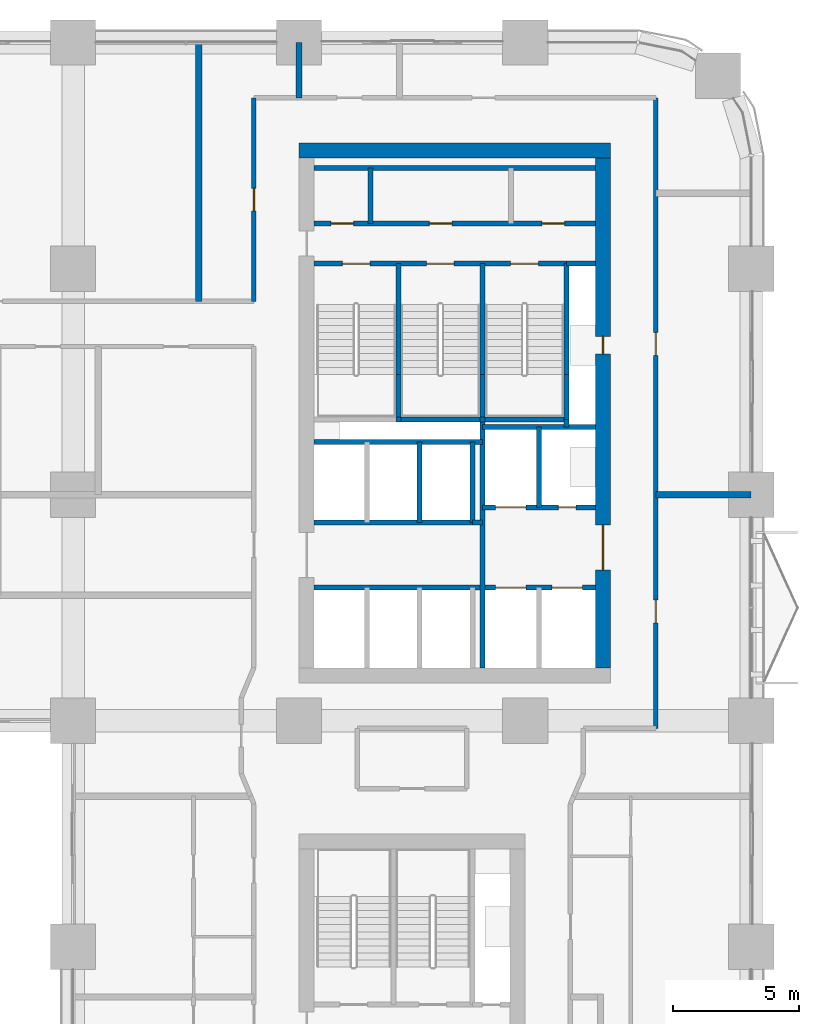
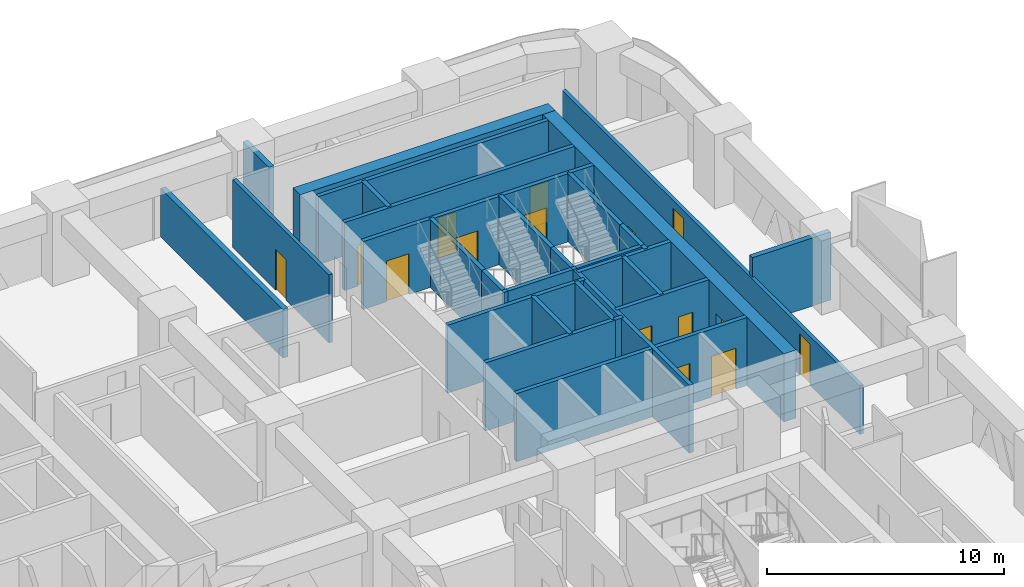
# One storey, part 17 of 24: 33 walls, 15 doors, 15 openings.
"""IFC4 building model written with IfcOpenShell, lengths in metres."""

from ifc_helpers import new_model, si_unit, direction, frame, frame_2d, origin, place, context, subcontext, project, spatial, rectangle, extrude, material, layer, layer_set, type_object, element, fill, save


model = new_model("IFC4")

# Units and contexts
model_context = context("Model", 3, precision=1e-05, world=origin(), true_north=direction((0.0, 1.0)))
body_context = subcontext(model_context, "Body", "Model", "MODEL_VIEW")
ifc_project = project(units=[si_unit("LENGTHUNIT", "METRE"), si_unit("AREAUNIT", "SQUARE_METRE"), si_unit("VOLUMEUNIT", "CUBIC_METRE"), si_unit("PLANEANGLEUNIT", "RADIAN"), si_unit("MASSUNIT", "GRAM", prefix="KILO")], contexts=[model_context])

# Site, building, storey
site_placement = place(None, origin())
site = spatial("IfcSite", under=ifc_project, at=site_placement, CompositionType="ELEMENT")
building_placement = place(site_placement, origin())
building = spatial("IfcBuilding", under=site, at=building_placement, Name="Tessera Arch", CompositionType="ELEMENT")
storey_placement = place(building_placement, frame((0.0, 0.0, 81.60009765625)))
storey = spatial("IfcBuildingStorey", under=building, at=storey_placement, Name="L18", CompositionType="ELEMENT", Elevation=81.60009765625)

# Walls
ifc_material_1 = material(Name="Gypsum board on steel stud", Category="steel")
ifc_layer_1 = layer(ifc_material_1, 0.125)
ifc_layer_set_1 = layer_set([ifc_layer_1], Name="Core partition 125 EI 60")
wall_type_1 = type_object("IfcWallType", Name="Core partition 125 EI 60", PredefinedType="PARTITIONING", material=ifc_layer_set_1)
wall_1_placement = place(storey_placement, frame((38.840087890625, 46.800048828125, 0.0), z_axis=(0.0, 0.0, 1.0), x_axis=(0.0, 1.0, 0.0)))
element("IfcWall", 1, at=wall_1_placement, inside=storey, type_object=wall_type_1, Name="L18 C1 partition wall 3", PredefinedType="PARTITIONING", context=body_context, shape_type="SweptSolid", body=[
    extrude(rectangle(XDim=2.199951171875, YDim=0.199951171875, at=frame_2d((1.10009765625, 0.0))), origin(), (0.0, 0.0, 1.0), 3.5),
])
wall_2_placement = place(storey_placement, frame((42.89990234375, 34.89990234375, 0.0), z_axis=(0.0, 0.0, 1.0), x_axis=(1.0, 0.0, 0.0)))
element("IfcWall", 2, at=wall_2_placement, inside=storey, type_object=wall_type_1, Name="L18 C1 partition wall 20", PredefinedType="PARTITIONING", context=body_context, shape_type="SweptSolid", body=[
    extrude(rectangle(XDim=0.400146484375, YDim=0.199951171875, at=frame_2d((0.2001953125, 0.0))), origin(), (0.0, 0.0, 1.0), 3.5),
])

# Wall, openings, doors
wall_3_placement = place(storey_placement, frame((36.60009765625, 46.800048828125, 0.0), z_axis=(0.0, 0.0, 1.0), x_axis=(1.0, 0.0, 0.0)))
wall_3 = element("IfcWall", 3, at=wall_3_placement, inside=storey, type_object=wall_type_1, Name="L18 C1 partition wall 32", PredefinedType="PARTITIONING", context=body_context, shape_type="SweptSolid", body=[
    extrude(rectangle(XDim=11.199951171875, YDim=0.199951171875, at=frame_2d((5.60009765625, 0.0))), origin(), (0.0, 0.0, 1.0), 3.5),
])
opening_1_placement = place(wall_3_placement, frame((0.669921875, 0.0, 0.0)))
opening_1 = element("IfcOpeningElement", 4, at=opening_1_placement, cuts=wall_3, Name="Opening L18-C12", PredefinedType="OPENING", context=body_context, shape_type="SweptSolid", body=[
    extrude(rectangle(XDim=0.89990234375, YDim=2.10009765625, at=frame_2d((0.449951171875, 1.050048828125))), frame((0.0, 0.10986328125, 0.0), z_axis=(0.0, -1.0, 0.0), x_axis=(1.0, 0.0, 0.0)), (0.0, 0.0, 1.0), 0.219970703125),
])
opening_2_placement = place(wall_3_placement, frame((4.590087890625, 0.0, 0.0)))
opening_2 = element("IfcOpeningElement", 5, at=opening_2_placement, cuts=wall_3, Name="Opening L18-C13", PredefinedType="OPENING", context=body_context, shape_type="SweptSolid", body=[
    extrude(rectangle(XDim=0.89990234375, YDim=2.10009765625, at=frame_2d((0.449951171875, 1.050048828125))), frame((0.0, 0.10986328125, 0.0), z_axis=(0.0, -1.0, 0.0), x_axis=(1.0, 0.0, 0.0)), (0.0, 0.0, 1.0), 0.219970703125),
])
opening_3_placement = place(wall_3_placement, frame((9.070068359375, 0.0, 0.0)))
opening_3 = element("IfcOpeningElement", 6, at=opening_3_placement, cuts=wall_3, Name="Opening L18-C14", PredefinedType="OPENING", context=body_context, shape_type="SweptSolid", body=[
    extrude(rectangle(XDim=0.89990234375, YDim=2.10009765625, at=frame_2d((0.449951171875, 1.050048828125))), frame((0.0, 0.10986328125, 0.0), z_axis=(0.0, -1.0, 0.0), x_axis=(1.0, 0.0, 0.0)), (0.0, 0.0, 1.0), 0.219970703125),
])
ifc_material_2 = material(Name="Steel door leaf", Category="steel")
door_type_1 = type_object("IfcDoorType", Name="Store door FD30S 900 x 2100", OperationType="SINGLE_SWING_LEFT", PredefinedType="DOOR", material=ifc_material_2)
door_1_placement = place(opening_1_placement, origin())
door_1 = element("IfcDoor", 7, at=door_1_placement, inside=storey, type_object=door_type_1, Name="L18 C1 door 12 C12 type D09", OperationType="SINGLE_SWING_LEFT", OverallHeight=2.10009765625, OverallWidth=0.89990234375, PredefinedType="DOOR", context=body_context, shape_type="SweptSolid", body=[
    extrude(rectangle(XDim=0.89990234375, YDim=2.10009765625, at=frame_2d((0.449951171875, 1.050048828125))), frame((0.0, 0.02490234375, 0.0), z_axis=(0.0, -1.0, 0.0), x_axis=(1.0, 0.0, 0.0)), (0.0, 0.0, 1.0), 0.050048828125),
])
fill(opening_1, door_1)
door_2_placement = place(opening_2_placement, origin())
door_2 = element("IfcDoor", 8, at=door_2_placement, inside=storey, type_object=door_type_1, Name="L18 C1 door 13 C13 type D09", OperationType="SINGLE_SWING_LEFT", OverallHeight=2.10009765625, OverallWidth=0.89990234375, PredefinedType="DOOR", context=body_context, shape_type="SweptSolid", body=[
    extrude(rectangle(XDim=0.89990234375, YDim=2.10009765625, at=frame_2d((0.449951171875, 1.050048828125))), frame((0.0, 0.02490234375, 0.0), z_axis=(0.0, -1.0, 0.0), x_axis=(1.0, 0.0, 0.0)), (0.0, 0.0, 1.0), 0.050048828125),
])
fill(opening_2, door_2)
door_3_placement = place(opening_3_placement, origin())
door_3 = element("IfcDoor", 9, at=door_3_placement, inside=storey, type_object=door_type_1, Name="L18 C1 door 14 C14 type D09", OperationType="SINGLE_SWING_RIGHT", OverallHeight=2.10009765625, OverallWidth=0.89990234375, PredefinedType="DOOR", context=body_context, shape_type="SweptSolid", body=[
    extrude(rectangle(XDim=0.89990234375, YDim=2.10009765625, at=frame_2d((0.449951171875, 1.050048828125))), frame((0.0, 0.02490234375, 0.0), z_axis=(0.0, -1.0, 0.0), x_axis=(1.0, 0.0, 0.0)), (0.0, 0.0, 1.0), 0.050048828125),
])
fill(opening_3, door_3)

# Walls
wall_4_placement = place(storey_placement, frame((36.60009765625, 49.0, 0.0), z_axis=(0.0, 0.0, 1.0), x_axis=(1.0, 0.0, 0.0)))
element("IfcWall", 10, at=wall_4_placement, inside=storey, type_object=wall_type_1, Name="L18 C1 partition wall 33", PredefinedType="PARTITIONING", context=body_context, shape_type="SweptSolid", body=[
    extrude(rectangle(XDim=11.199951171875, YDim=0.199951171875, at=frame_2d((5.60009765625, 0.0))), origin(), (0.0, 0.0, 1.0), 3.5),
])
ifc_material_3 = material(Name="Concrete C70/85", Category="concrete")
ifc_layer_2 = layer(ifc_material_3, 0.60009765625)
ifc_layer_set_2 = layer_set([ifc_layer_2], Name="Core shell wall 600 C70-85")
wall_type_2 = type_object("IfcWallType", Name="Core shell wall 600 C70-85", PredefinedType="SHEAR", material=ifc_layer_set_2)
wall_5_placement = place(storey_placement, frame((36.0, 49.699951171875, 0.0), z_axis=(0.0, 0.0, 1.0), x_axis=(1.0, 0.0, 0.0)))
element("IfcWall", 11, at=wall_5_placement, inside=storey, type_object=wall_type_2, Name="L18 C1 core wall N", PredefinedType="SHEAR", context=body_context, shape_type="SweptSolid", body=[
    extrude(rectangle(XDim=12.39990234375, YDim=0.60009765625, at=frame_2d((6.199951171875, 0.0))), origin(), (0.0, 0.0, 1.0), 3.5),
])

# Wall, openings, doors
wall_6_placement = place(storey_placement, frame((48.10009765625, 29.10009765625, 0.0), z_axis=(0.0, 0.0, 1.0), x_axis=(0.0, 1.0, 0.0)))
wall_6 = element("IfcWall", 12, at=wall_6_placement, inside=storey, type_object=wall_type_2, Name="L18 C1 core wall E", PredefinedType="SHEAR", context=body_context, shape_type="SweptSolid", body=[
    extrude(rectangle(XDim=20.2998046875, YDim=0.60009765625, at=frame_2d((10.14990234375, 0.0))), origin(), (0.0, 0.0, 1.0), 3.5),
])
opening_4_placement = place(wall_6_placement, frame((12.5, 0.0, 0.0)))
opening_4 = element("IfcOpeningElement", 13, at=opening_4_placement, cuts=wall_6, Name="Opening L18-C08", PredefinedType="OPENING", context=body_context, shape_type="SweptSolid", body=[
    extrude(rectangle(XDim=0.699951171875, YDim=2.10009765625, at=frame_2d((0.35009765625, 1.050048828125))), frame((0.0, 0.31005859375, 0.0), z_axis=(0.0, -1.0, 0.0), x_axis=(1.0, 0.0, 0.0)), (0.0, 0.0, 1.0), 0.6201171875),
])
opening_5_placement = place(wall_6_placement, frame((3.89990234375, 0.0, 0.0)))
opening_5 = element("IfcOpeningElement", 14, at=opening_5_placement, cuts=wall_6, Name="Opening L18-C09", PredefinedType="OPENING", context=body_context, shape_type="SweptSolid", body=[
    extrude(rectangle(XDim=1.800048828125, YDim=2.10009765625, at=frame_2d((0.89990234375, 1.050048828125))), frame((0.0, 0.31005859375, 0.0), z_axis=(0.0, -1.0, 0.0), x_axis=(1.0, 0.0, 0.0)), (0.0, 0.0, 1.0), 0.6201171875),
])
ifc_material_4 = material(Name="Glazed steel door leaf", Category="steel")
door_type_2 = type_object("IfcDoorType", Name="Lobby double door FD60 1800 x 2100", OperationType="DOUBLE_DOOR_SINGLE_SWING", PredefinedType="DOOR", material=ifc_material_4)
door_4_placement = place(opening_5_placement, origin())
door_4 = element("IfcDoor", 15, at=door_4_placement, inside=storey, type_object=door_type_2, Name="L18 C1 door 9 C09 type D19", OperationType="DOUBLE_DOOR_SINGLE_SWING", OverallHeight=2.10009765625, OverallWidth=1.800048828125, PredefinedType="DOOR", context=body_context, shape_type="SweptSolid", body=[
    extrude(rectangle(XDim=1.800048828125, YDim=2.10009765625, at=frame_2d((0.89990234375, 1.050048828125))), frame((0.0, 0.02490234375, 0.0), z_axis=(0.0, -1.0, 0.0), x_axis=(1.0, 0.0, 0.0)), (0.0, 0.0, 1.0), 0.050048828125),
])
fill(opening_5, door_4)
ifc_material_5 = material(Name="Steel door leaf", Category="steel")
door_type_3 = type_object("IfcDoorType", Name="Service shaft door FD60 700 x 2100", OperationType="SINGLE_SWING_LEFT", PredefinedType="DOOR", material=ifc_material_5)
door_5_placement = place(opening_4_placement, origin())
door_5 = element("IfcDoor", 16, at=door_5_placement, inside=storey, type_object=door_type_3, Name="L18 C1 door 8 C08 type D07", OperationType="SINGLE_SWING_RIGHT", OverallHeight=2.10009765625, OverallWidth=0.699951171875, PredefinedType="DOOR", context=body_context, shape_type="SweptSolid", body=[
    extrude(rectangle(XDim=0.699951171875, YDim=2.10009765625, at=frame_2d((0.35009765625, 1.050048828125))), frame((0.0, 0.02490234375, 0.0), z_axis=(0.0, -1.0, 0.0), x_axis=(1.0, 0.0, 0.0)), (0.0, 0.0, 1.0), 0.050048828125),
])
fill(opening_4, door_5)

# Wall, opening, door
ifc_material_6 = material(Name="Gypsum board on deep steel stud with mineral wool", Category="steel")
ifc_layer_3 = layer(ifc_material_6, 0.175048828125)
ifc_layer_set_3 = layer_set([ifc_layer_3], Name="Corridor wall 175 EI 60")
wall_type_3 = type_object("IfcWallType", Name="Corridor wall 175 EI 60", PredefinedType="PARTITIONING", material=ifc_layer_set_3)
wall_7_placement = place(storey_placement, frame((34.199951171875, 43.699951171875, 0.0), z_axis=(0.0, 0.0, 1.0), x_axis=(0.0, 1.0, 0.0)))
wall_7 = element("IfcWall", 17, at=wall_7_placement, inside=storey, type_object=wall_type_3, Name="L18 partition 17", PredefinedType="PARTITIONING", context=body_context, shape_type="SweptSolid", body=[
    extrude(rectangle(XDim=8.10009765625, YDim=0.175048828125, at=frame_2d((4.050048828125, 0.0))), origin(), (0.0, 0.0, 1.0), 3.5),
])
opening_6_placement = place(wall_7_placement, frame((3.60009765625, 0.0, 0.0)))
opening_6 = element("IfcOpeningElement", 18, at=opening_6_placement, cuts=wall_7, Name="Opening L18-D035", PredefinedType="OPENING", context=body_context, shape_type="SweptSolid", body=[
    extrude(rectangle(XDim=0.89990234375, YDim=2.10009765625, at=frame_2d((0.449951171875, 1.050048828125))), frame((0.0, 0.097412109375, 0.0), z_axis=(0.0, -1.0, 0.0), x_axis=(1.0, 0.0, 0.0)), (0.0, 0.0, 1.0), 0.195068359375),
])
ifc_material_7 = material(Name="Timber door leaf", Category="wood")
door_type_4 = type_object("IfcDoorType", Name="Room door 900 x 2100", OperationType="SINGLE_SWING_LEFT", PredefinedType="DOOR", material=ifc_material_7)
door_6_placement = place(opening_6_placement, origin())
door_6 = element("IfcDoor", 19, at=door_6_placement, inside=storey, type_object=door_type_4, Name="L18 door D035 type D01", OperationType="SINGLE_SWING_RIGHT", OverallHeight=2.10009765625, OverallWidth=0.89990234375, PredefinedType="DOOR", context=body_context, shape_type="SweptSolid", body=[
    extrude(rectangle(XDim=0.89990234375, YDim=2.10009765625, at=frame_2d((0.449951171875, 1.050048828125))), frame((0.0, 0.02490234375, 0.0), z_axis=(0.0, -1.0, 0.0), x_axis=(1.0, 0.0, 0.0)), (0.0, 0.0, 1.0), 0.050048828125),
])
fill(opening_6, door_6)

# Wall, openings, doors
wall_8_placement = place(storey_placement, frame((50.199951171875, 26.699951171875, 0.0), z_axis=(0.0, 0.0, 1.0), x_axis=(0.0, 1.0, 0.0)))
wall_8 = element("IfcWall", 20, at=wall_8_placement, inside=storey, type_object=wall_type_3, Name="L18 partition 22", PredefinedType="PARTITIONING", context=body_context, shape_type="SweptSolid", body=[
    extrude(rectangle(XDim=25.10009765625, YDim=0.175048828125, at=frame_2d((12.550048828125, 0.0))), origin(), (0.0, 0.0, 1.0), 2.5),
])
opening_7_placement = place(wall_8_placement, frame((4.199951171875, 0.0, 0.0)))
opening_7 = element("IfcOpeningElement", 21, at=opening_7_placement, cuts=wall_8, Name="Opening L18-D025", PredefinedType="OPENING", context=body_context, shape_type="SweptSolid", body=[
    extrude(rectangle(XDim=0.89990234375, YDim=2.10009765625, at=frame_2d((0.449951171875, 1.050048828125))), frame((0.0, 0.097412109375, 0.0), z_axis=(0.0, -1.0, 0.0), x_axis=(1.0, 0.0, 0.0)), (0.0, 0.0, 1.0), 0.195068359375),
])
opening_8_placement = place(wall_8_placement, frame((14.85009765625, 0.0, 0.0)))
opening_8 = element("IfcOpeningElement", 22, at=opening_8_placement, cuts=wall_8, Name="Opening L18-D032", PredefinedType="OPENING", context=body_context, shape_type="SweptSolid", body=[
    extrude(rectangle(XDim=0.89990234375, YDim=2.10009765625, at=frame_2d((0.449951171875, 1.050048828125))), frame((0.0, 0.097412109375, 0.0), z_axis=(0.0, -1.0, 0.0), x_axis=(1.0, 0.0, 0.0)), (0.0, 0.0, 1.0), 0.195068359375),
])
door_7_placement = place(opening_7_placement, origin())
door_7 = element("IfcDoor", 23, at=door_7_placement, inside=storey, type_object=door_type_4, Name="L18 door D025 type D01", OperationType="SINGLE_SWING_RIGHT", OverallHeight=2.10009765625, OverallWidth=0.89990234375, PredefinedType="DOOR", context=body_context, shape_type="SweptSolid", body=[
    extrude(rectangle(XDim=0.89990234375, YDim=2.10009765625, at=frame_2d((0.449951171875, 1.050048828125))), frame((0.0, 0.02490234375, 0.0), z_axis=(0.0, -1.0, 0.0), x_axis=(1.0, 0.0, 0.0)), (0.0, 0.0, 1.0), 0.050048828125),
])
fill(opening_7, door_7)
door_8_placement = place(opening_8_placement, origin())
door_8 = element("IfcDoor", 24, at=door_8_placement, inside=storey, type_object=door_type_4, Name="L18 door D032 type D01", OperationType="SINGLE_SWING_RIGHT", OverallHeight=2.10009765625, OverallWidth=0.89990234375, PredefinedType="DOOR", context=body_context, shape_type="SweptSolid", body=[
    extrude(rectangle(XDim=0.89990234375, YDim=2.10009765625, at=frame_2d((0.449951171875, 1.050048828125))), frame((0.0, 0.02490234375, 0.0), z_axis=(0.0, -1.0, 0.0), x_axis=(1.0, 0.0, 0.0)), (0.0, 0.0, 1.0), 0.050048828125),
])
fill(opening_8, door_8)

# Walls
ifc_material_8 = material(Name="Double gypsum board on twin steel stud with acoustic mineral wool", Category="steel")
ifc_layer_4 = layer(ifc_material_8, 0.25)
ifc_layer_set_4 = layer_set([ifc_layer_4], Name="Party wall 250 EI 60")
wall_type_4 = type_object("IfcWallType", Name="Party wall 250 EI 60", PredefinedType="PARTITIONING", material=ifc_layer_set_4)
wall_9_placement = place(storey_placement, frame((50.199951171875, 36.0, 0.0), z_axis=(0.0, 0.0, 1.0), x_axis=(1.0, 0.0, 0.0)))
element("IfcWall", 25, at=wall_9_placement, inside=storey, type_object=wall_type_4, Name="L18 partition 40", PredefinedType="PARTITIONING", context=body_context, shape_type="SweptSolid", body=[
    extrude(rectangle(XDim=3.800048828125, YDim=0.25, at=frame_2d((1.89990234375, 0.0))), origin(), (0.0, 0.0, 1.0), 3.5),
])
wall_10_placement = place(storey_placement, frame((32.0, 43.699951171875, 0.0), z_axis=(0.0, 0.0, 1.0), x_axis=(0.0, 1.0, 0.0)))
element("IfcWall", 26, at=wall_10_placement, inside=storey, type_object=wall_type_4, Name="L18 partition 51", PredefinedType="PARTITIONING", context=body_context, shape_type="SweptSolid", body=[
    extrude(rectangle(XDim=10.300048828125, YDim=0.25, at=frame_2d((5.14990234375, 0.0))), origin(), (0.0, 0.0, 1.0), 2.5),
])
wall_11_placement = place(storey_placement, frame((36.0, 51.800048828125, 0.0), z_axis=(0.0, 0.0, 1.0), x_axis=(0.0, 1.0, 0.0)))
element("IfcWall", 27, at=wall_11_placement, inside=storey, type_object=wall_type_4, Name="L18 partition 53", PredefinedType="PARTITIONING", context=body_context, shape_type="SweptSolid", body=[
    extrude(rectangle(XDim=2.199951171875, YDim=0.25, at=frame_2d((1.10009765625, 0.0))), origin(), (0.0, 0.0, 1.0), 3.5),
])
ifc_material_9 = material(Name="Concrete C40/50", Category="concrete")
ifc_layer_5 = layer(ifc_material_9, 0.199951171875)
ifc_layer_set_5 = layer_set([ifc_layer_5], Name="Shaft wall 200 EI 120")
wall_type_5 = type_object("IfcWallType", Name="Shaft wall 200 EI 120", PredefinedType="SOLIDWALL", material=ifc_layer_set_5)
for number, where, z_axis, x_axis, name in (
    (28, (40.800048828125, 34.89990234375, 0.0), (0.0, 0.0, 1.0), (0.0, 1.0, 0.0), "L18 C1 shaft wall 7"),
    (29, (42.89990234375, 34.89990234375, 0.0), (0.0, 0.0, 1.0), (0.0, 1.0, 0.0), "L18 C1 shaft wall 9"),
):
    element("IfcWall", number, at=place(storey_placement, frame(where, z_axis=z_axis, x_axis=x_axis)), inside=storey, type_object=wall_type_5, Name=name, PredefinedType="SOLIDWALL", context=body_context, shape_type="SweptSolid", body=[
        extrude(rectangle(XDim=3.2001953125, YDim=0.199951171875, at=frame_2d((1.60009765625, 0.0))), origin(), (0.0, 0.0, 1.0), 3.5),
    ])
wall_12_placement = place(storey_placement, frame((43.300048828125, 29.10009765625, 0.0), z_axis=(0.0, 0.0, 1.0), x_axis=(0.0, 1.0, 0.0)))
element("IfcWall", 30, at=wall_12_placement, inside=storey, type_object=wall_type_5, Name="L18 C1 shaft wall 10", PredefinedType="SOLIDWALL", context=body_context, shape_type="SweptSolid", body=[
    extrude(rectangle(XDim=9.89990234375, YDim=0.199951171875, at=frame_2d((4.949951171875, 0.0))), origin(), (0.0, 0.0, 1.0), 3.5),
])
wall_13_placement = place(storey_placement, frame((45.550048828125, 35.5, 0.0), z_axis=(0.0, 0.0, 1.0), x_axis=(0.0, 1.0, 0.0)))
element("IfcWall", 31, at=wall_13_placement, inside=storey, type_object=wall_type_5, Name="L18 C1 shaft wall 15", PredefinedType="SOLIDWALL", context=body_context, shape_type="SweptSolid", body=[
    extrude(rectangle(XDim=3.199951171875, YDim=0.199951171875, at=frame_2d((1.60009765625, 0.0))), origin(), (0.0, 0.0, 1.0), 3.5),
])
wall_14_placement = place(storey_placement, frame((46.64990234375, 38.699951171875, 0.0), z_axis=(0.0, 0.0, 1.0), x_axis=(0.0, 1.0, 0.0)))
element("IfcWall", 32, at=wall_14_placement, inside=storey, type_object=wall_type_5, Name="L18 C1 shaft wall 16", PredefinedType="SOLIDWALL", context=body_context, shape_type="SweptSolid", body=[
    extrude(rectangle(XDim=0.300048828125, YDim=0.199951171875, at=frame_2d((0.14990234375, 0.0))), origin(), (0.0, 0.0, 1.0), 3.5),
])

# Wall, openings, doors
wall_15_placement = place(storey_placement, frame((36.60009765625, 32.300048828125, 0.0), z_axis=(0.0, 0.0, 1.0), x_axis=(1.0, 0.0, 0.0)))
wall_15 = element("IfcWall", 33, at=wall_15_placement, inside=storey, type_object=wall_type_5, Name="L18 C1 shaft wall 19", PredefinedType="SOLIDWALL", context=body_context, shape_type="SweptSolid", body=[
    extrude(rectangle(XDim=11.199951171875, YDim=0.199951171875, at=frame_2d((5.60009765625, 0.0))), origin(), (0.0, 0.0, 1.0), 3.5),
])
opening_9_placement = place(wall_15_placement, frame((7.22509765625, 0.0, 0.0)))
opening_9 = element("IfcOpeningElement", 34, at=opening_9_placement, cuts=wall_15, Name="Opening L18-C01", PredefinedType="OPENING", context=body_context, shape_type="SweptSolid", body=[
    extrude(rectangle(XDim=1.199951171875, YDim=2.10009765625, at=frame_2d((0.60009765625, 1.050048828125))), frame((0.0, 0.10986328125, 0.0), z_axis=(0.0, -1.0, 0.0), x_axis=(1.0, 0.0, 0.0)), (0.0, 0.0, 1.0), 0.219970703125),
])
opening_10_placement = place(wall_15_placement, frame((9.47509765625, 0.0, 0.0)))
opening_10 = element("IfcOpeningElement", 35, at=opening_10_placement, cuts=wall_15, Name="Opening L18-C02", PredefinedType="OPENING", context=body_context, shape_type="SweptSolid", body=[
    extrude(rectangle(XDim=1.199951171875, YDim=2.10009765625, at=frame_2d((0.60009765625, 1.050048828125))), frame((0.0, 0.10986328125, 0.0), z_axis=(0.0, -1.0, 0.0), x_axis=(1.0, 0.0, 0.0)), (0.0, 0.0, 1.0), 0.219970703125),
])
ifc_material_10 = material(Name="Stainless steel AISI 304", Category="steel")
door_type_5 = type_object("IfcDoorType", Name="Sliding landing door 1200 x 2100", OperationType="SLIDING_TO_LEFT", PredefinedType="DOOR", material=ifc_material_10)
door_9_placement = place(opening_9_placement, origin())
door_9 = element("IfcDoor", 36, at=door_9_placement, inside=storey, type_object=door_type_5, Name="L18 FF1 lift landing door C01 type LD", OperationType="SLIDING_TO_LEFT", OverallHeight=2.10009765625, OverallWidth=1.199951171875, PredefinedType="DOOR", context=body_context, shape_type="SweptSolid", body=[
    extrude(rectangle(XDim=1.199951171875, YDim=2.10009765625, at=frame_2d((0.60009765625, 1.050048828125))), frame((0.0, 0.02490234375, 0.0), z_axis=(0.0, -1.0, 0.0), x_axis=(1.0, 0.0, 0.0)), (0.0, 0.0, 1.0), 0.050048828125),
])
fill(opening_9, door_9)
door_10_placement = place(opening_10_placement, origin())
door_10 = element("IfcDoor", 37, at=door_10_placement, inside=storey, type_object=door_type_5, Name="L18 FF2 lift landing door C02 type LD", OperationType="SLIDING_TO_LEFT", OverallHeight=2.10009765625, OverallWidth=1.199951171875, PredefinedType="DOOR", context=body_context, shape_type="SweptSolid", body=[
    extrude(rectangle(XDim=1.199951171875, YDim=2.10009765625, at=frame_2d((0.60009765625, 1.050048828125))), frame((0.0, 0.02490234375, 0.0), z_axis=(0.0, -1.0, 0.0), x_axis=(1.0, 0.0, 0.0)), (0.0, 0.0, 1.0), 0.050048828125),
])
fill(opening_10, door_10)

# Wall
wall_16_placement = place(storey_placement, frame((36.60009765625, 34.89990234375, 0.0), z_axis=(0.0, 0.0, 1.0), x_axis=(1.0, 0.0, 0.0)))
element("IfcWall", 38, at=wall_16_placement, inside=storey, type_object=wall_type_5, Name="L18 C1 shaft wall 21", PredefinedType="SOLIDWALL", context=body_context, shape_type="SweptSolid", body=[
    extrude(rectangle(XDim=6.2998046875, YDim=0.199951171875, at=frame_2d((3.14990234375, 0.0))), origin(), (0.0, 0.0, 1.0), 3.5),
])

# Wall, openings, doors
wall_17_placement = place(storey_placement, frame((43.300048828125, 35.5, 0.0), z_axis=(0.0, 0.0, 1.0), x_axis=(1.0, 0.0, 0.0)))
wall_17 = element("IfcWall", 39, at=wall_17_placement, inside=storey, type_object=wall_type_5, Name="L18 C1 shaft wall 22", PredefinedType="SOLIDWALL", context=body_context, shape_type="SweptSolid", body=[
    extrude(rectangle(XDim=4.5, YDim=0.199951171875, at=frame_2d((2.25, 0.0))), origin(), (0.0, 0.0, 1.0), 3.5),
])
opening_11_placement = place(wall_17_placement, frame((0.52490234375, 0.0, 0.0)))
opening_11 = element("IfcOpeningElement", 40, at=opening_11_placement, cuts=wall_17, Name="Opening L18-C03", PredefinedType="OPENING", context=body_context, shape_type="SweptSolid", body=[
    extrude(rectangle(XDim=1.199951171875, YDim=2.10009765625, at=frame_2d((0.60009765625, 1.050048828125))), frame((0.0, 0.10986328125, 0.0), z_axis=(0.0, -1.0, 0.0), x_axis=(1.0, 0.0, 0.0)), (0.0, 0.0, 1.0), 0.219970703125),
])
opening_12_placement = place(wall_17_placement, frame((3.02490234375, 0.0, 0.0)))
opening_12 = element("IfcOpeningElement", 41, at=opening_12_placement, cuts=wall_17, Name="Opening L18-C10", PredefinedType="OPENING", context=body_context, shape_type="SweptSolid", body=[
    extrude(rectangle(XDim=0.699951171875, YDim=2.10009765625, at=frame_2d((0.35009765625, 1.050048828125))), frame((0.0, 0.10986328125, 0.0), z_axis=(0.0, -1.0, 0.0), x_axis=(1.0, 0.0, 0.0)), (0.0, 0.0, 1.0), 0.219970703125),
])
door_11_placement = place(opening_12_placement, origin())
door_11 = element("IfcDoor", 42, at=door_11_placement, inside=storey, type_object=door_type_3, Name="L18 C1 door 10 C10 type D07", OperationType="SINGLE_SWING_RIGHT", OverallHeight=2.10009765625, OverallWidth=0.699951171875, PredefinedType="DOOR", context=body_context, shape_type="SweptSolid", body=[
    extrude(rectangle(XDim=0.699951171875, YDim=2.10009765625, at=frame_2d((0.35009765625, 1.050048828125))), frame((0.0, 0.02490234375, 0.0), z_axis=(0.0, -1.0, 0.0), x_axis=(1.0, 0.0, 0.0)), (0.0, 0.0, 1.0), 0.050048828125),
])
fill(opening_12, door_11)
door_12_placement = place(opening_11_placement, origin())
door_12 = element("IfcDoor", 43, at=door_12_placement, inside=storey, type_object=door_type_5, Name="L18 SV2 lift landing door C03 type LD", OperationType="SLIDING_TO_LEFT", OverallHeight=2.10009765625, OverallWidth=1.199951171875, PredefinedType="DOOR", context=body_context, shape_type="SweptSolid", body=[
    extrude(rectangle(XDim=1.199951171875, YDim=2.10009765625, at=frame_2d((0.60009765625, 1.050048828125))), frame((0.0, 0.02490234375, 0.0), z_axis=(0.0, -1.0, 0.0), x_axis=(1.0, 0.0, 0.0)), (0.0, 0.0, 1.0), 0.050048828125),
])
fill(opening_11, door_12)

# Walls
wall_18_placement = place(storey_placement, frame((36.60009765625, 38.10009765625, 0.0), z_axis=(0.0, 0.0, 1.0), x_axis=(1.0, 0.0, 0.0)))
element("IfcWall", 44, at=wall_18_placement, inside=storey, type_object=wall_type_5, Name="L18 C1 shaft wall 23", PredefinedType="SOLIDWALL", context=body_context, shape_type="SweptSolid", body=[
    extrude(rectangle(XDim=6.699951171875, YDim=0.199951171875, at=frame_2d((3.35009765625, 0.0))), origin(), (0.0, 0.0, 1.0), 3.5),
])
wall_19_placement = place(storey_placement, frame((43.300048828125, 38.699951171875, 0.0), z_axis=(0.0, 0.0, 1.0), x_axis=(1.0, 0.0, 0.0)))
element("IfcWall", 45, at=wall_19_placement, inside=storey, type_object=wall_type_5, Name="L18 C1 shaft wall 24", PredefinedType="SOLIDWALL", context=body_context, shape_type="SweptSolid", body=[
    extrude(rectangle(XDim=4.5, YDim=0.199951171875, at=frame_2d((2.25, 0.0))), origin(), (0.0, 0.0, 1.0), 3.5),
])
wall_20_placement = place(storey_placement, frame((46.64990234375, 45.199951171875, 0.0), z_axis=(0.0, 0.0, 1.0), x_axis=(1.0, 0.0, 0.0)))
element("IfcWall", 46, at=wall_20_placement, inside=storey, type_object=wall_type_5, Name="L18 C1 shaft wall 30", PredefinedType="SOLIDWALL", context=body_context, shape_type="SweptSolid", body=[
    extrude(rectangle(XDim=1.150146484375, YDim=0.199951171875, at=frame_2d((0.5751953125, 0.0))), origin(), (0.0, 0.0, 1.0), 3.5),
])
ifc_material_11 = material(Name="Concrete C40/50", Category="concrete")
ifc_layer_6 = layer(ifc_material_11, 0.199951171875)
ifc_layer_set_6 = layer_set([ifc_layer_6], Name="Stair well wall 200 REI 180")
wall_type_6 = type_object("IfcWallType", Name="Stair well wall 200 REI 180", PredefinedType="SOLIDWALL", material=ifc_layer_set_6)
wall_21_placement = place(storey_placement, frame((39.949951171875, 39.0, 0.0), z_axis=(0.0, 0.0, 1.0), x_axis=(0.0, 1.0, 0.0)))
element("IfcWall", 47, at=wall_21_placement, inside=storey, type_object=wall_type_6, Name="L18 C1 shaft wall 4", PredefinedType="SOLIDWALL", context=body_context, shape_type="SweptSolid", body=[
    extrude(rectangle(XDim=1.780029296875, YDim=0.199951171875, at=frame_2d((0.89013671875, 0.0))), origin(), (0.0, 0.0, 1.0), 3.5),
])
wall_22_placement = place(storey_placement, frame((39.949951171875, 40.780029296875, 0.0), z_axis=(0.0, 0.0, 1.0), x_axis=(0.0, 1.0, 0.0)))
element("IfcWall", 48, at=wall_22_placement, inside=storey, type_object=wall_type_6, Name="L18 C1 shaft wall 5", PredefinedType="SOLIDWALL", context=body_context, shape_type="SweptSolid", body=[
    extrude(rectangle(XDim=4.419921875, YDim=0.199951171875, at=frame_2d((2.2099609375, 0.0))), origin(), (0.0, 0.0, 1.0), 3.5),
])
wall_23_placement = place(storey_placement, frame((43.300048828125, 39.0, 0.0), z_axis=(0.0, 0.0, 1.0), x_axis=(0.0, 1.0, 0.0)))
element("IfcWall", 49, at=wall_23_placement, inside=storey, type_object=wall_type_6, Name="L18 C1 shaft wall 11", PredefinedType="SOLIDWALL", context=body_context, shape_type="SweptSolid", body=[
    extrude(rectangle(XDim=1.780029296875, YDim=0.199951171875, at=frame_2d((0.89013671875, 0.0))), origin(), (0.0, 0.0, 1.0), 3.5),
])
wall_24_placement = place(storey_placement, frame((43.300048828125, 40.780029296875, 0.0), z_axis=(0.0, 0.0, 1.0), x_axis=(0.0, 1.0, 0.0)))
element("IfcWall", 50, at=wall_24_placement, inside=storey, type_object=wall_type_6, Name="L18 C1 shaft wall 12", PredefinedType="SOLIDWALL", context=body_context, shape_type="SweptSolid", body=[
    extrude(rectangle(XDim=4.419921875, YDim=0.199951171875, at=frame_2d((2.2099609375, 0.0))), origin(), (0.0, 0.0, 1.0), 3.5),
])
wall_25_placement = place(storey_placement, frame((46.64990234375, 39.0, 0.0), z_axis=(0.0, 0.0, 1.0), x_axis=(0.0, 1.0, 0.0)))
element("IfcWall", 51, at=wall_25_placement, inside=storey, type_object=wall_type_6, Name="L18 C1 shaft wall 17", PredefinedType="SOLIDWALL", context=body_context, shape_type="SweptSolid", body=[
    extrude(rectangle(XDim=1.780029296875, YDim=0.199951171875, at=frame_2d((0.89013671875, 0.0))), origin(), (0.0, 0.0, 1.0), 3.5),
])
wall_26_placement = place(storey_placement, frame((46.64990234375, 40.780029296875, 0.0), z_axis=(0.0, 0.0, 1.0), x_axis=(0.0, 1.0, 0.0)))
element("IfcWall", 52, at=wall_26_placement, inside=storey, type_object=wall_type_6, Name="L18 C1 shaft wall 18", PredefinedType="SOLIDWALL", context=body_context, shape_type="SweptSolid", body=[
    extrude(rectangle(XDim=4.419921875, YDim=0.199951171875, at=frame_2d((2.2099609375, 0.0))), origin(), (0.0, 0.0, 1.0), 3.5),
])
wall_27_placement = place(storey_placement, frame((39.85009765625, 39.0, 0.0), z_axis=(0.0, 0.0, 1.0), x_axis=(1.0, 0.0, 0.0)))
element("IfcWall", 53, at=wall_27_placement, inside=storey, type_object=wall_type_6, Name="L18 C1 shaft wall 26", PredefinedType="SOLIDWALL", context=body_context, shape_type="SweptSolid", body=[
    extrude(rectangle(XDim=0.199951171875, YDim=0.199951171875, at=frame_2d((0.10009765625, 0.0))), origin(), (0.0, 0.0, 1.0), 3.5),
])
wall_28_placement = place(storey_placement, frame((40.050048828125, 39.0, 0.0), z_axis=(0.0, 0.0, 1.0), x_axis=(1.0, 0.0, 0.0)))
element("IfcWall", 54, at=wall_28_placement, inside=storey, type_object=wall_type_6, Name="L18 C1 shaft wall 27", PredefinedType="SOLIDWALL", context=body_context, shape_type="SweptSolid", body=[
    extrude(rectangle(XDim=3.14990234375, YDim=0.199951171875, at=frame_2d((1.574951171875, 0.0))), origin(), (0.0, 0.0, 1.0), 3.5),
])
wall_29_placement = place(storey_placement, frame((43.199951171875, 39.0, 0.0), z_axis=(0.0, 0.0, 1.0), x_axis=(1.0, 0.0, 0.0)))
element("IfcWall", 55, at=wall_29_placement, inside=storey, type_object=wall_type_6, Name="L18 C1 shaft wall 28", PredefinedType="SOLIDWALL", context=body_context, shape_type="SweptSolid", body=[
    extrude(rectangle(XDim=0.199951171875, YDim=0.199951171875, at=frame_2d((0.10009765625, 0.0))), origin(), (0.0, 0.0, 1.0), 3.5),
])
wall_30_placement = place(storey_placement, frame((43.39990234375, 39.0, 0.0), z_axis=(0.0, 0.0, 1.0), x_axis=(1.0, 0.0, 0.0)))
element("IfcWall", 56, at=wall_30_placement, inside=storey, type_object=wall_type_6, Name="L18 C1 shaft wall 29", PredefinedType="SOLIDWALL", context=body_context, shape_type="SweptSolid", body=[
    extrude(rectangle(XDim=3.25, YDim=0.199951171875, at=frame_2d((1.625, 0.0))), origin(), (0.0, 0.0, 1.0), 3.5),
])

# Wall, openings, doors
wall_31_placement = place(storey_placement, frame((36.60009765625, 45.199951171875, 0.0), z_axis=(0.0, 0.0, 1.0), x_axis=(1.0, 0.0, 0.0)))
wall_31 = element("IfcWall", 57, at=wall_31_placement, inside=storey, type_object=wall_type_6, Name="L18 C1 shaft wall 31", PredefinedType="SOLIDWALL", context=body_context, shape_type="SweptSolid", body=[
    extrude(rectangle(XDim=10.0498046875, YDim=0.199951171875, at=frame_2d((5.02490234375, 0.0))), origin(), (0.0, 0.0, 1.0), 3.5),
])
opening_13_placement = place(wall_31_placement, frame((1.125, 0.0, 0.0)))
opening_13 = element("IfcOpeningElement", 58, at=opening_13_placement, cuts=wall_31, Name="Opening L18-C05", PredefinedType="OPENING", context=body_context, shape_type="SweptSolid", body=[
    extrude(rectangle(XDim=1.10009765625, YDim=2.10009765625, at=frame_2d((0.550048828125, 1.050048828125))), frame((0.0, 0.10986328125, 0.0), z_axis=(0.0, -1.0, 0.0), x_axis=(1.0, 0.0, 0.0)), (0.0, 0.0, 1.0), 0.219970703125),
])
opening_14_placement = place(wall_31_placement, frame((4.47509765625, 0.0, 0.0)))
opening_14 = element("IfcOpeningElement", 59, at=opening_14_placement, cuts=wall_31, Name="Opening L18-C06", PredefinedType="OPENING", context=body_context, shape_type="SweptSolid", body=[
    extrude(rectangle(XDim=1.10009765625, YDim=2.10009765625, at=frame_2d((0.550048828125, 1.050048828125))), frame((0.0, 0.10986328125, 0.0), z_axis=(0.0, -1.0, 0.0), x_axis=(1.0, 0.0, 0.0)), (0.0, 0.0, 1.0), 0.219970703125),
])
opening_15_placement = place(wall_31_placement, frame((7.824951171875, 0.0, 0.0)))
opening_15 = element("IfcOpeningElement", 60, at=opening_15_placement, cuts=wall_31, Name="Opening L18-C07", PredefinedType="OPENING", context=body_context, shape_type="SweptSolid", body=[
    extrude(rectangle(XDim=1.10009765625, YDim=2.10009765625, at=frame_2d((0.550048828125, 1.050048828125))), frame((0.0, 0.10986328125, 0.0), z_axis=(0.0, -1.0, 0.0), x_axis=(1.0, 0.0, 0.0)), (0.0, 0.0, 1.0), 0.219970703125),
])
ifc_material_12 = material(Name="Steel door leaf", Category="steel")
door_type_6 = type_object("IfcDoorType", Name="Stair door FD60 1100 x 2100", OperationType="SINGLE_SWING_LEFT", PredefinedType="DOOR", material=ifc_material_12)
door_13_placement = place(opening_13_placement, origin())
door_13 = element("IfcDoor", 61, at=door_13_placement, inside=storey, type_object=door_type_6, Name="L18 C1 door 5 C05 type D05", OperationType="SINGLE_SWING_LEFT", OverallHeight=2.10009765625, OverallWidth=1.10009765625, PredefinedType="DOOR", context=body_context, shape_type="SweptSolid", body=[
    extrude(rectangle(XDim=1.10009765625, YDim=2.10009765625, at=frame_2d((0.550048828125, 1.050048828125))), frame((0.0, 0.02490234375, 0.0), z_axis=(0.0, -1.0, 0.0), x_axis=(1.0, 0.0, 0.0)), (0.0, 0.0, 1.0), 0.050048828125),
])
fill(opening_13, door_13)
door_14_placement = place(opening_14_placement, origin())
door_14 = element("IfcDoor", 62, at=door_14_placement, inside=storey, type_object=door_type_6, Name="L18 C1 door 6 C06 type D05", OperationType="SINGLE_SWING_RIGHT", OverallHeight=2.10009765625, OverallWidth=1.10009765625, PredefinedType="DOOR", context=body_context, shape_type="SweptSolid", body=[
    extrude(rectangle(XDim=1.10009765625, YDim=2.10009765625, at=frame_2d((0.550048828125, 1.050048828125))), frame((0.0, 0.02490234375, 0.0), z_axis=(0.0, -1.0, 0.0), x_axis=(1.0, 0.0, 0.0)), (0.0, 0.0, 1.0), 0.050048828125),
])
fill(opening_14, door_14)
door_15_placement = place(opening_15_placement, origin())
door_15 = element("IfcDoor", 63, at=door_15_placement, inside=storey, type_object=door_type_6, Name="L18 C1 door 7 C07 type D05", OperationType="SINGLE_SWING_RIGHT", OverallHeight=2.10009765625, OverallWidth=1.10009765625, PredefinedType="DOOR", context=body_context, shape_type="SweptSolid", body=[
    extrude(rectangle(XDim=1.10009765625, YDim=2.10009765625, at=frame_2d((0.550048828125, 1.050048828125))), frame((0.0, 0.02490234375, 0.0), z_axis=(0.0, -1.0, 0.0), x_axis=(1.0, 0.0, 0.0)), (0.0, 0.0, 1.0), 0.050048828125),
])
fill(opening_15, door_15)

save(model, "model.ifc")
